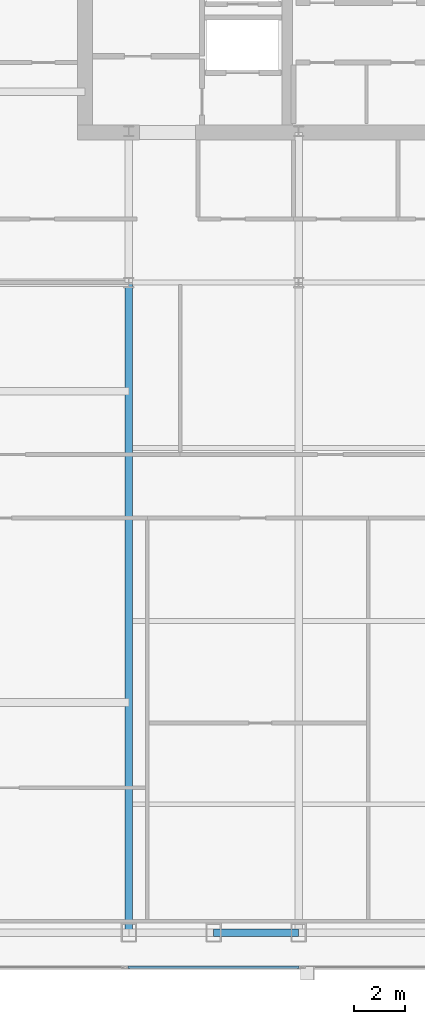
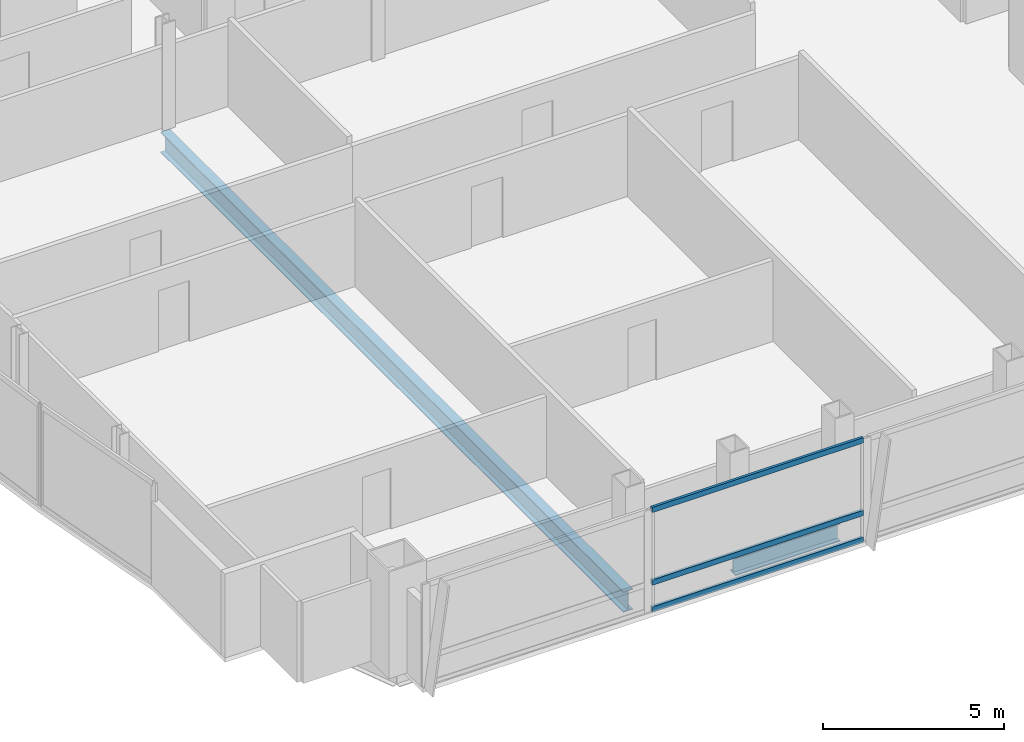
# One storey, part 7 of 30: 3 members, 2 beams, 1 element without a shape of its own.
"""IFC4 building model written with IfcOpenShell, lengths in metres."""

from ifc_helpers import new_model, si_unit, direction, frame, origin, origin_2d, place, context, subcontext, project, spatial, hollow_rectangle, i_section, extrude, material, material_profile, profile_set, type_object, element, aggregate, save


model = new_model("IFC4")

# Units and contexts
model_context = context("Model", 3, precision=1e-05, world=origin(), true_north=direction((0.0, 1.0)))
body_context = subcontext(model_context, "Body", "Model", "MODEL_VIEW")
ifc_project = project(units=[si_unit("LENGTHUNIT", "METRE"), si_unit("AREAUNIT", "SQUARE_METRE"), si_unit("VOLUMEUNIT", "CUBIC_METRE"), si_unit("PLANEANGLEUNIT", "RADIAN"), si_unit("MASSUNIT", "GRAM", prefix="KILO")], contexts=[model_context])

# Site, building, storey
site_placement = place(None, origin())
site = spatial("IfcSite", under=ifc_project, at=site_placement, CompositionType="ELEMENT")
building_placement = place(site_placement, origin())
building = spatial("IfcBuilding", under=site, at=building_placement, Name="Khoronbel Lancet Exchange", CompositionType="ELEMENT")
storey_placement = place(building_placement, frame((0.0, 0.0, 203.0)))
storey = spatial("IfcBuildingStorey", under=building, at=storey_placement, Name="L51", CompositionType="ELEMENT", Elevation=203.0)

# Beams
ifc_material_1 = material(Name="Steel S355", Category="steel")
ifc_material_profile_1 = material_profile(ifc_material_1, i_section(OverallWidth=0.300048828125, OverallDepth=0.699951171875, WebThickness=0.01708984375, FlangeThickness=0.031982421875, at=origin_2d()), Name="HEB 700")
ifc_profile_set_1 = profile_set([ifc_material_profile_1], Name="Steel S355")
beam_type_1 = type_object("IfcBeamType", Name="BM-BG3", PredefinedType="BEAM", material=ifc_profile_set_1)
beam_1_placement = place(storey_placement, frame((18.22509765625, 10.14990234375, -0.510009765625), z_axis=(0.0, 1.0, 0.0), x_axis=(-1.0, 0.0, 0.0)))
element("IfcBeam", 1, at=beam_1_placement, inside=storey, type_object=beam_type_1, Name="Level L51 south primary girder GS1", PredefinedType="BEAM", context=body_context, shape_type="SweptSolid", body=[
    extrude(i_section(OverallWidth=0.300048828125, OverallDepth=0.699951171875, WebThickness=0.01708984375, FlangeThickness=0.031982421875, at=origin_2d()), origin(), (0.0, 0.0, 1.0), 25.550048828125),
])
ifc_material_profile_2 = material_profile(ifc_material_1, i_section(OverallWidth=0.300048828125, OverallDepth=0.60009765625, WebThickness=0.015380859375, FlangeThickness=0.030029296875, at=origin_2d()), Name="HEB 600")
ifc_profile_set_2 = profile_set([ifc_material_profile_2], Name="Steel S355")
beam_type_2 = type_object("IfcBeamType", Name="BM-BSP2", PredefinedType="SPANDREL", material=ifc_profile_set_2)
beam_2_placement = place(storey_placement, frame((21.5625, 10.14990234375, -0.4599609375), z_axis=(1.0, 0.0, 0.0), x_axis=(0.0, 1.0, 0.0)))
element("IfcBeam", 2, at=beam_2_placement, inside=storey, type_object=beam_type_2, Name="Level L51 perimeter spandrel beam SP03", PredefinedType="SPANDREL", context=body_context, shape_type="SweptSolid", body=[
    extrude(i_section(OverallWidth=0.300048828125, OverallDepth=0.60009765625, WebThickness=0.015380859375, FlangeThickness=0.030029296875, at=origin_2d()), origin(), (0.0, 0.0, 1.0), 3.33740234375),
])

# Curtain wall, members
ifc_material_2 = material(Name="Low-E Solar Control Insulating Glass", Category="glass")
curtain_wall_type = type_object("IfcCurtainWallType", Name="CW-3", PredefinedType="NOTDEFINED", material=ifc_material_2)
curtain_wall_placement = place(storey_placement, origin())
curtain_wall = element("IfcCurtainWall", 3, at=curtain_wall_placement, inside=storey, type_object=curtain_wall_type, Name="Unitised curtain wall CW-L51-SWB", PredefinedType="NOTDEFINED")
ifc_material_3 = material(Name="Bronze-Anodised Aluminium 6063-T6", Category="aluminium")
ifc_material_profile_3 = material_profile(ifc_material_3, hollow_rectangle(XDim=0.0849609375, YDim=0.179931640625, WallThickness=0.0048828125, at=origin_2d()), Name="ALU TRANSOM 85x180")
ifc_profile_set_3 = profile_set([ifc_material_profile_3], Name="Bronze-Anodised Aluminium 6063-T6")
member_type = type_object("IfcMemberType", Name="MEM-CWT1", PredefinedType="USERDEFINED", material=ifc_profile_set_3)
member_1_placement = place(storey_placement, frame((18.18505859375, 8.7900390625, 0.04248046875), z_axis=(1.0, 0.0, 0.0), x_axis=(0.0, 1.0, 0.0)))
member_1 = element("IfcMember", 4, at=member_1_placement, type_object=member_type, Name="CW3 transom 1.1", ObjectType="TRANSOM", PredefinedType="USERDEFINED", context=body_context, shape_type="SweptSolid", body=[
    extrude(hollow_rectangle(XDim=0.0849609375, YDim=0.179931640625, WallThickness=0.0048828125, at=origin_2d()), origin(), (0.0, 0.0, 1.0), 6.72998046875),
])
member_2_placement = place(storey_placement, frame((18.18505859375, 8.7900390625, 0.949951171875), z_axis=(1.0, 0.0, 0.0), x_axis=(0.0, 1.0, 0.0)))
member_2 = element("IfcMember", 5, at=member_2_placement, type_object=member_type, Name="CW3 transom 1.2", ObjectType="TRANSOM", PredefinedType="USERDEFINED", context=body_context, shape_type="SweptSolid", body=[
    extrude(hollow_rectangle(XDim=0.0849609375, YDim=0.179931640625, WallThickness=0.0048828125, at=origin_2d()), origin(), (0.0, 0.0, 1.0), 6.72998046875),
])
member_3_placement = place(storey_placement, frame((18.18505859375, 8.7900390625, 3.3974609375), z_axis=(1.0, 0.0, 0.0), x_axis=(0.0, 1.0, 0.0)))
member_3 = element("IfcMember", 6, at=member_3_placement, type_object=member_type, Name="CW3 transom 1.3", ObjectType="TRANSOM", PredefinedType="USERDEFINED", context=body_context, shape_type="SweptSolid", body=[
    extrude(hollow_rectangle(XDim=0.0849609375, YDim=0.179931640625, WallThickness=0.0048828125, at=origin_2d()), origin(), (0.0, 0.0, 1.0), 6.72998046875),
])
aggregate(curtain_wall, [member_1, member_2, member_3])

save(model, "model.ifc")
